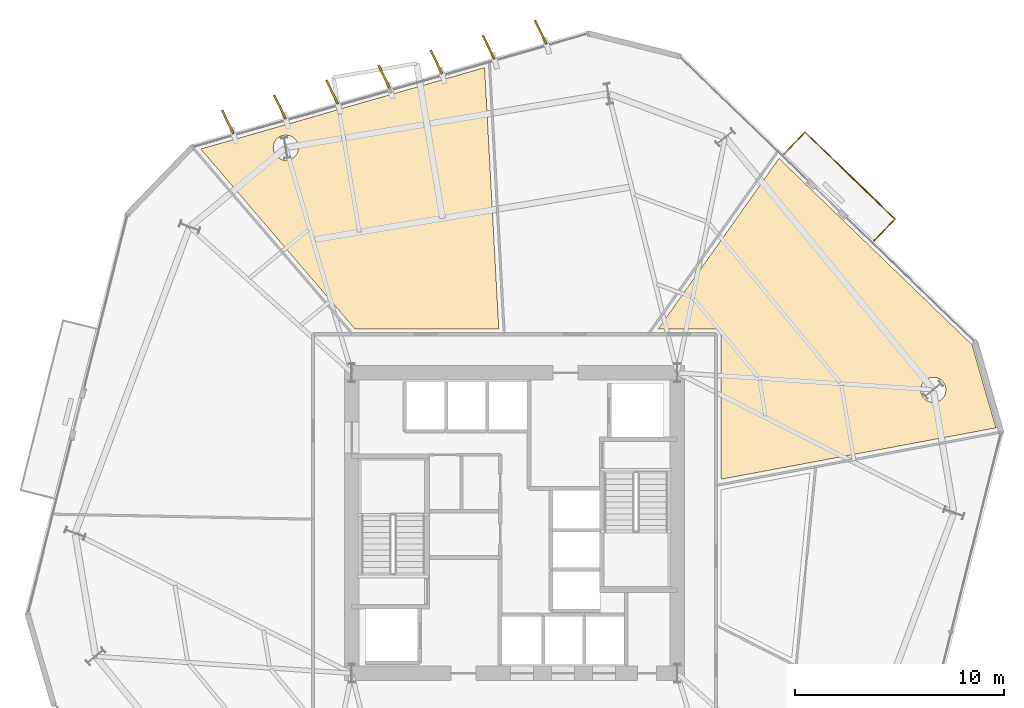
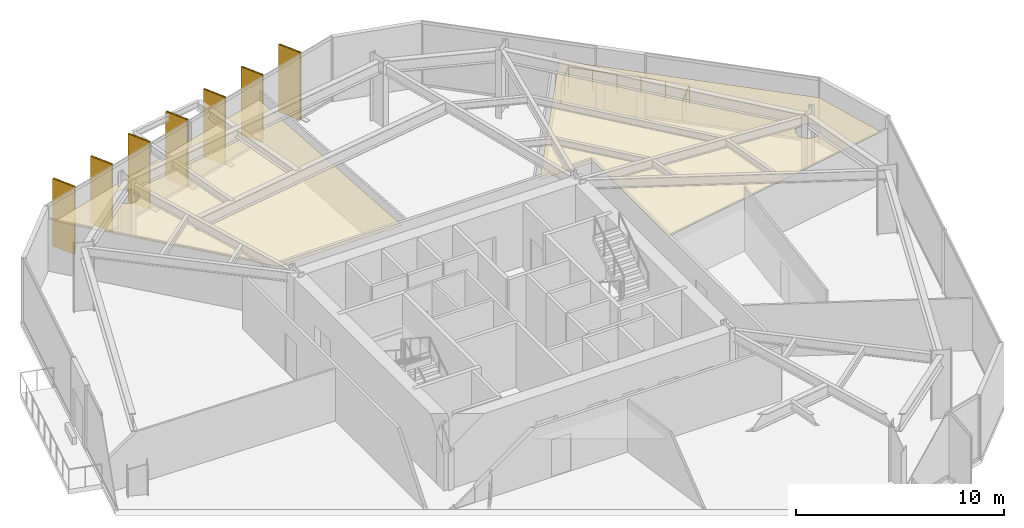
# One storey, part 10 of 10: 9 coverings, 7 shading devices, 1 railing.
"""IFC4 building model written with IfcOpenShell, lengths in metres."""

from ifc_helpers import new_model, si_unit, direction, frame, origin, origin_2d, place, context, subcontext, project, spatial, polyline, rectangle, circle, outline, extrude, material, layer, layer_set, type_object, element, save


model = new_model("IFC4")

# Units and contexts
model_context = context("Model", 3, precision=1e-05, world=origin(), true_north=direction((0.0, 1.0)))
body_context = subcontext(model_context, "Body", "Model", "MODEL_VIEW")
ifc_project = project(units=[si_unit("LENGTHUNIT", "METRE"), si_unit("AREAUNIT", "SQUARE_METRE"), si_unit("VOLUMEUNIT", "CUBIC_METRE"), si_unit("PLANEANGLEUNIT", "RADIAN"), si_unit("MASSUNIT", "GRAM", prefix="KILO")], contexts=[model_context])

# Site, building, storey
site_placement = place(None, origin())
site = spatial("IfcSite", under=ifc_project, at=site_placement, CompositionType="ELEMENT")
building_placement = place(site_placement, origin())
building = spatial("IfcBuilding", under=site, at=building_placement, Name="Kranzbogen Civic Tower", CompositionType="ELEMENT")
storey_placement = place(building_placement, frame((0.0, 0.0, 84.0)))
storey = spatial("IfcBuildingStorey", under=building, at=storey_placement, Name="L20", CompositionType="ELEMENT", Elevation=84.0)

# Coverings
ifc_material_1 = material(Name="Pale Anodised Aluminium", Category="aluminium")
ifc_layer_1 = layer(ifc_material_1, 0.02490234375, Name="Pale Anodised Aluminium")
ifc_layer_set_1 = layer_set([ifc_layer_1], Name="Pale Anodised Aluminium")
covering_type_1 = type_object("IfcCoveringType", Name="Anodised Aluminium Vertical Fin Cladding 25 mm", PredefinedType="CLADDING", material=ifc_layer_set_1)
for number, where, z_axis, x_axis, name in (
    (1, (26.257080078125, 48.52392578125, -0.139892578125), (0.0, 0.0, 1.0), (-0.436220788263, 0.899839665655, 0.0), "L20 vertical fin pale-metal cladding F2-1"),
    (2, (23.758056640625, 47.806884765625, -0.139892578125), (0.0, 0.0, 1.0), (-0.436220788263, 0.899839665655, 0.0), "L20 vertical fin pale-metal cladding F2-2"),
    (3, (21.259033203125, 47.091064453125, -0.139892578125), (0.0, 0.0, 1.0), (-0.436220788263, 0.899839665655, 0.0), "L20 vertical fin pale-metal cladding F2-3"),
    (4, (18.760009765625, 46.3740234375, -0.139892578125), (0.0, 0.0, 1.0), (-0.436220788263, 0.899839665655, 0.0), "L20 vertical fin pale-metal cladding F2-4"),
    (5, (16.260009765625, 45.656982421875, -0.139892578125), (0.0, 0.0, 1.0), (-0.436220788263, 0.899839665655, 0.0), "L20 vertical fin pale-metal cladding F2-5"),
    (6, (13.760986328125, 44.93994140625, -0.139892578125), (0.0, 0.0, 1.0), (-0.436220788263, 0.899839665655, 0.0), "L20 vertical fin pale-metal cladding F2-6"),
    (7, (11.261962890625, 44.22412109375, -0.139892578125), (0.0, 0.0, 1.0), (-0.436220788263, 0.899839665655, 0.0), "L20 vertical fin pale-metal cladding F2-7"),
):
    element("IfcCovering", number, at=place(storey_placement, frame(where, z_axis=z_axis, x_axis=x_axis)), inside=storey, type_object=covering_type_1, Name=name, PredefinedType="CLADDING", context=body_context, shape_type="SweptSolid", body=[
        extrude(rectangle(XDim=1.25, YDim=0.10009765625, at=origin_2d()), origin(), (0.0, 0.0, 1.0), 3.9599609375),
    ])

# Shading devices
ifc_material_2 = material(Name="Anodised Bronze Aluminium", Category="aluminium")
shading_device_type = type_object("IfcShadingDeviceType", Name="Anodised Bronze Vertical Facade Fin 1250x80", PredefinedType="USERDEFINED", material=ifc_material_2)
for number, where, z_axis, x_axis, name in (
    (8, (26.257080078125, 48.52392578125, -0.139892578125), (0.0, 0.0, 1.0), (-0.436220788263, 0.899839665655, 0.0), "L20 vertical exterior shading fin F2-1"),
    (9, (23.758056640625, 47.806884765625, -0.139892578125), (0.0, 0.0, 1.0), (-0.436220788263, 0.899839665655, 0.0), "L20 vertical exterior shading fin F2-2"),
    (10, (21.259033203125, 47.091064453125, -0.139892578125), (0.0, 0.0, 1.0), (-0.436220788263, 0.899839665655, 0.0), "L20 vertical exterior shading fin F2-3"),
    (11, (18.760009765625, 46.3740234375, -0.139892578125), (0.0, 0.0, 1.0), (-0.436220788263, 0.899839665655, 0.0), "L20 vertical exterior shading fin F2-4"),
    (12, (16.260009765625, 45.656982421875, -0.139892578125), (0.0, 0.0, 1.0), (-0.436220788263, 0.899839665655, 0.0), "L20 vertical exterior shading fin F2-5"),
    (13, (13.760986328125, 44.93994140625, -0.139892578125), (0.0, 0.0, 1.0), (-0.436220788263, 0.899839665655, 0.0), "L20 vertical exterior shading fin F2-6"),
    (14, (11.261962890625, 44.22412109375, -0.139892578125), (0.0, 0.0, 1.0), (-0.436220788263, 0.899839665655, 0.0), "L20 vertical exterior shading fin F2-7"),
):
    element("IfcShadingDevice", number, at=place(storey_placement, frame(where, z_axis=z_axis, x_axis=x_axis)), inside=storey, type_object=shading_device_type, Name=name, ObjectType="FIN", PredefinedType="USERDEFINED", context=body_context, shape_type="SweptSolid", body=[
        extrude(rectangle(XDim=1.25, YDim=0.080078125, at=origin_2d()), origin(), (0.0, 0.0, 1.0), 3.9599609375),
    ])

# Railing
railing_type = type_object("IfcRailingType", Name="Cantilevered Balcony Glass and Bronze Balustrade 1200", PredefinedType="BALUSTRADE", material=ifc_material_2)
railing_placement = place(storey_placement, frame((42.23193359375, 38.52587890625, 0.0)))
element("IfcRailing", 15, at=railing_placement, inside=storey, type_object=railing_type, Name="L20 exterior terrace balustrade L20-TB2", PredefinedType="BALUSTRADE", context=body_context, shape_type="SweptSolid", body=[
    extrude(circle(Radius=0.02392578125, at=origin_2d()), frame((0.0, 0.0, 1.17578125), z_axis=(0.694537420213, 0.719456580986, 0.0), x_axis=(-0.719456580986, 0.694537420213, 0.0)), (0.0, 0.0, 1.0), 1.449951171875),
    extrude(circle(Radius=0.02392578125, at=origin_2d()), frame((1.007080078125, 1.043212890625, 1.17578125), z_axis=(-0.719328539087, 0.694670031638, 0.0), x_axis=(-0.694670031638, -0.719328539087, 0.0)), (0.0, 0.0, 1.0), 6.0),
    extrude(circle(Radius=0.02392578125, at=origin_2d()), frame((-3.308837890625, 5.211181640625, 1.17578125), z_axis=(-0.694621559732, -0.719375346224, 0.0), x_axis=(0.719375346224, -0.694621559732, 0.0)), (0.0, 0.0, 1.0), 1.44970703125),
    extrude(circle(Radius=0.02099609375, at=origin_2d()), origin(), (0.0, 0.0, 1.0), 1.15185546875),
    extrude(circle(Radius=0.02099609375, at=origin_2d()), frame((0.50341796875, 0.521484375, 0.0)), (0.0, 0.0, 1.0), 1.15185546875),
    extrude(circle(Radius=0.02099609375, at=origin_2d()), frame((1.007080078125, 1.043212890625, 0.0)), (0.0, 0.0, 1.0), 1.15185546875),
    extrude(circle(Radius=0.02099609375, at=origin_2d()), frame((0.143798828125, 1.876708984375, 0.0)), (0.0, 0.0, 1.0), 1.15185546875),
    extrude(circle(Radius=0.02099609375, at=origin_2d()), frame((-0.71923828125, 2.71044921875, 0.0)), (0.0, 0.0, 1.0), 1.15185546875),
    extrude(circle(Radius=0.02099609375, at=origin_2d()), frame((-1.58251953125, 3.5439453125, 0.0)), (0.0, 0.0, 1.0), 1.15185546875),
    extrude(circle(Radius=0.02099609375, at=origin_2d()), frame((-2.445556640625, 4.377685546875, 0.0)), (0.0, 0.0, 1.0), 1.15185546875),
    extrude(circle(Radius=0.02099609375, at=origin_2d()), frame((-3.308837890625, 5.211181640625, 0.0)), (0.0, 0.0, 1.0), 1.15185546875),
    extrude(circle(Radius=0.02099609375, at=origin_2d()), frame((-3.8125, 4.689697265625, 0.0)), (0.0, 0.0, 1.0), 1.15185546875),
    extrude(circle(Radius=0.02099609375, at=origin_2d()), frame((-4.31591796875, 4.168212890625, 0.0)), (0.0, 0.0, 1.0), 1.15185546875),
])

# Coverings
ifc_material_3 = material(Name="Perforated Acoustic Gypsum Ceiling")
ifc_layer_2 = layer(ifc_material_3, 0.02490234375, Name="Perforated Acoustic Gypsum Ceiling")
ifc_layer_set_2 = layer_set([ifc_layer_2], Name="Perforated Acoustic Gypsum Ceiling")
covering_type_2 = type_object("IfcCoveringType", Name="Perforated Acoustic Mineral Ceiling Tile 25 mm", PredefinedType="CEILING", material=ifc_layer_set_2)
covering_1_placement = place(storey_placement, frame((0.0, 0.0, 2.75)))
element("IfcCovering", 16, at=covering_1_placement, inside=storey, type_object=covering_type_2, Name="L20 Duty Crew Control Room acoustic ceiling", PredefinedType="CEILING", context=body_context, shape_type="SweptSolid", body=[
    extrude(outline(polyline([(48.069091796875, 29.56298828125), (34.89501953125, 27.09912109375), (34.89501953125, 34.050048828125), (34.89501953125, 34.05908203125), (34.89404296875, 34.06494140625), (34.89306640625, 34.0830078125), (34.89208984375, 34.089111328125), (34.887939453125, 34.10595703125), (34.886962890625, 34.113037109375), (34.882080078125, 34.1298828125), (34.8798828125, 34.135986328125), (34.873046875, 34.152099609375), (34.8701171875, 34.157958984375), (34.862060546875, 34.173095703125), (34.85791015625, 34.178955078125), (34.84912109375, 34.193115234375), (34.844970703125, 34.197998046875), (34.833984375, 34.2119140625), (34.8291015625, 34.217041015625), (34.81689453125, 34.22900390625), (34.81201171875, 34.23388671875), (34.798095703125, 34.2451171875), (34.79296875, 34.2490234375), (34.779052734375, 34.258056640625), (34.77294921875, 34.261962890625), (34.758056640625, 34.27001953125), (34.751953125, 34.27294921875), (34.736083984375, 34.280029296875), (34.72998046875, 34.281982421875), (34.712890625, 34.287109375), (34.7060546875, 34.2880859375), (34.68896484375, 34.2919921875), (34.68310546875, 34.29296875), (34.6650390625, 34.2939453125), (34.658935546875, 34.294921875), (34.64990234375, 34.294921875), (31.884033203125, 34.294921875), (37.676025390625, 42.472900390625), (46.928955078125, 33.5380859375), (48.069091796875, 29.56298828125)]), holes=[polyline([(45.6279296875, 31.156005859375), (45.60302734375, 31.10205078125), (45.572998046875, 31.052001953125), (45.537109375, 31.00390625), (45.498046875, 30.9599609375), (45.4541015625, 30.9208984375), (45.406005859375, 30.885009765625), (45.35595703125, 30.85498046875), (45.302001953125, 30.830078125), (45.2470703125, 30.81005859375), (45.18896484375, 30.7958984375), (45.131103515625, 30.787109375), (45.072021484375, 30.783935546875), (45.012939453125, 30.787109375), (44.955078125, 30.7958984375), (44.89697265625, 30.81005859375), (44.842041015625, 30.830078125), (44.7880859375, 30.85498046875), (44.738037109375, 30.885009765625), (44.68994140625, 30.9208984375), (44.64599609375, 30.9599609375), (44.60693359375, 31.00390625), (44.571044921875, 31.052001953125), (44.541015625, 31.10205078125), (44.51611328125, 31.156005859375), (44.49609375, 31.2109375), (44.48193359375, 31.26904296875), (44.472900390625, 31.326904296875), (44.469970703125, 31.385986328125), (44.472900390625, 31.445068359375), (44.48193359375, 31.5029296875), (44.49609375, 31.56103515625), (44.51611328125, 31.615966796875), (44.541015625, 31.669921875), (44.571044921875, 31.719970703125), (44.60693359375, 31.76806640625), (44.64599609375, 31.81201171875), (44.68994140625, 31.85107421875), (44.738037109375, 31.886962890625), (44.7880859375, 31.9169921875), (44.842041015625, 31.94189453125), (44.89697265625, 31.9619140625), (44.955078125, 31.97607421875), (45.012939453125, 31.985107421875), (45.072021484375, 31.988037109375), (45.131103515625, 31.985107421875), (45.18896484375, 31.97607421875), (45.2470703125, 31.9619140625), (45.302001953125, 31.94189453125), (45.35595703125, 31.9169921875), (45.406005859375, 31.886962890625), (45.4541015625, 31.85107421875), (45.498046875, 31.81201171875), (45.537109375, 31.76806640625), (45.572998046875, 31.719970703125), (45.60302734375, 31.669921875), (45.6279296875, 31.615966796875), (45.64794921875, 31.56103515625), (45.662109375, 31.5029296875), (45.6708984375, 31.445068359375), (45.674072265625, 31.385986328125), (45.6708984375, 31.326904296875), (45.662109375, 31.26904296875), (45.64794921875, 31.2109375), (45.6279296875, 31.156005859375)])]), origin(), (0.0, 0.0, 1.0), 0.02490234375),
])
covering_2_placement = place(storey_placement, frame((0.0, 0.0, 2.75)))
element("IfcCovering", 17, at=covering_2_placement, inside=storey, type_object=covering_type_2, Name="L20 Civic Reference Library acoustic ceiling", PredefinedType="CEILING", context=body_context, shape_type="SweptSolid", body=[
    extrude(outline(polyline([(24.2490234375, 34.294921875), (17.35888671875, 34.294921875), (9.965087890625, 42.925048828125), (23.568115234375, 46.825927734375), (24.2490234375, 34.294921875)]), holes=[polyline([(14.597900390625, 42.758056640625), (14.572998046875, 42.7041015625), (14.54296875, 42.654052734375), (14.507080078125, 42.60595703125), (14.468017578125, 42.56201171875), (14.424072265625, 42.52294921875), (14.3759765625, 42.487060546875), (14.325927734375, 42.45703125), (14.27197265625, 42.431884765625), (14.217041015625, 42.412109375), (14.158935546875, 42.39794921875), (14.10107421875, 42.388916015625), (14.0419921875, 42.385986328125), (13.98291015625, 42.388916015625), (13.925048828125, 42.39794921875), (13.866943359375, 42.412109375), (13.81201171875, 42.431884765625), (13.758056640625, 42.45703125), (13.7080078125, 42.487060546875), (13.659912109375, 42.52294921875), (13.615966796875, 42.56201171875), (13.576904296875, 42.60595703125), (13.541015625, 42.654052734375), (13.510986328125, 42.7041015625), (13.486083984375, 42.758056640625), (13.466064453125, 42.81298828125), (13.451904296875, 42.87109375), (13.443115234375, 42.928955078125), (13.43994140625, 42.988037109375), (13.443115234375, 43.047119140625), (13.451904296875, 43.10498046875), (13.466064453125, 43.1630859375), (13.486083984375, 43.218017578125), (13.510986328125, 43.27197265625), (13.541015625, 43.322021484375), (13.576904296875, 43.3701171875), (13.615966796875, 43.4140625), (13.659912109375, 43.452880859375), (13.7080078125, 43.489013671875), (13.758056640625, 43.51904296875), (13.81201171875, 43.5439453125), (13.866943359375, 43.56396484375), (13.925048828125, 43.577880859375), (13.98291015625, 43.5869140625), (14.0419921875, 43.590087890625), (14.10107421875, 43.5869140625), (14.158935546875, 43.577880859375), (14.217041015625, 43.56396484375), (14.27197265625, 43.5439453125), (14.325927734375, 43.51904296875), (14.3759765625, 43.489013671875), (14.424072265625, 43.452880859375), (14.468017578125, 43.4140625), (14.507080078125, 43.3701171875), (14.54296875, 43.322021484375), (14.572998046875, 43.27197265625), (14.597900390625, 43.218017578125), (14.617919921875, 43.1630859375), (14.632080078125, 43.10498046875), (14.64111328125, 43.047119140625), (14.64404296875, 42.988037109375), (14.64111328125, 42.928955078125), (14.632080078125, 42.87109375), (14.617919921875, 42.81298828125), (14.597900390625, 42.758056640625)])]), origin(), (0.0, 0.0, 1.0), 0.02490234375),
])

save(model, "model.ifc")
